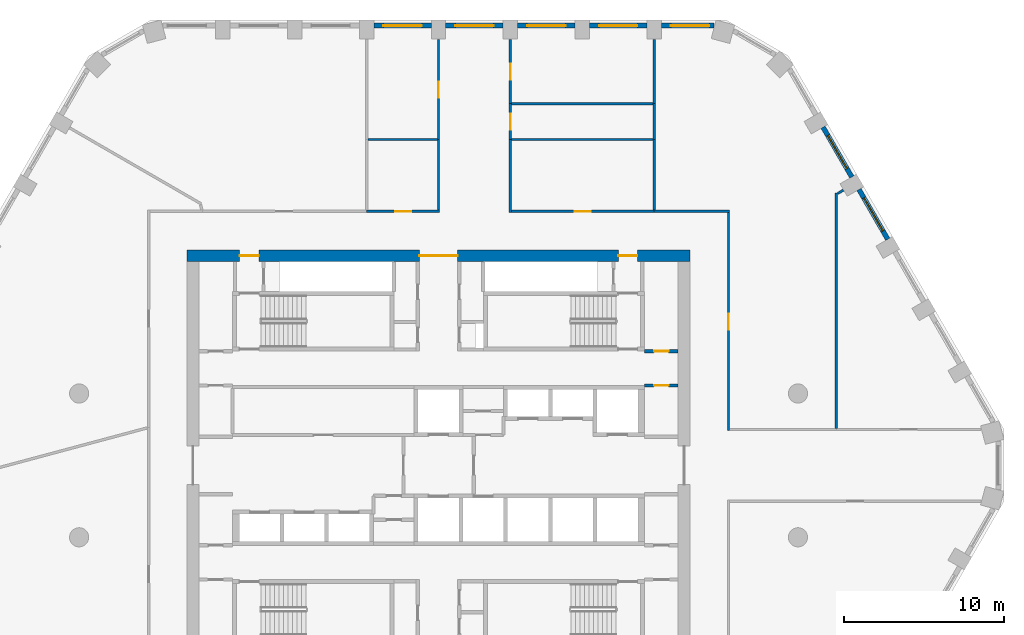
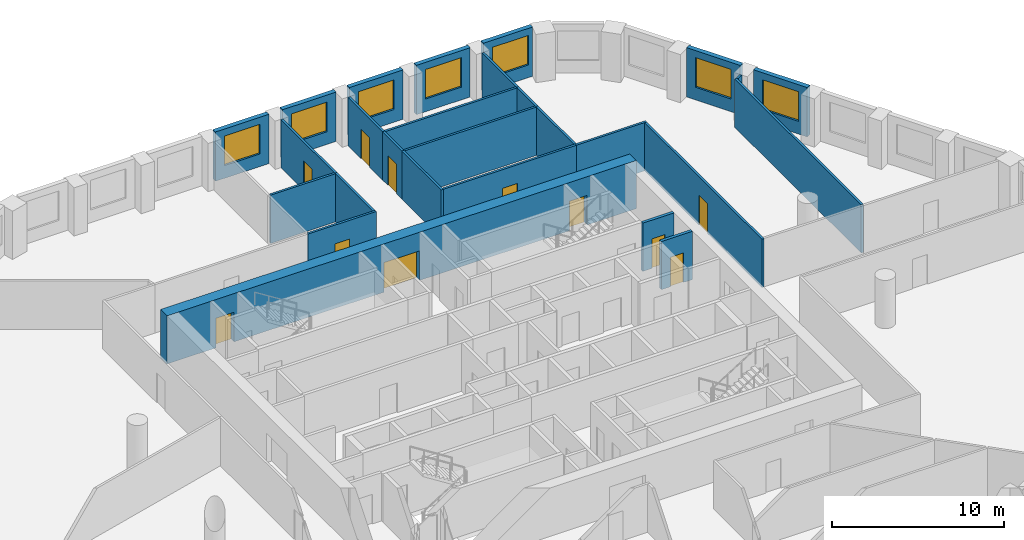
# One storey, part 7 of 9: 27 walls, 11 doors, 7 windows, 18 openings.
"""IFC4 building model written with IfcOpenShell, lengths in metres."""

from ifc_helpers import new_model, si_unit, direction, frame, frame_2d, origin, place, context, subcontext, project, spatial, rectangle, extrude, material, layer, layer_set, type_object, element, fill, save


model = new_model("IFC4")

# Units and contexts
model_context = context("Model", 3, precision=1e-05, world=origin(), true_north=direction((0.0, 1.0)))
body_context = subcontext(model_context, "Body", "Model", "MODEL_VIEW")
ifc_project = project(units=[si_unit("LENGTHUNIT", "METRE"), si_unit("AREAUNIT", "SQUARE_METRE"), si_unit("VOLUMEUNIT", "CUBIC_METRE"), si_unit("PLANEANGLEUNIT", "RADIAN"), si_unit("MASSUNIT", "GRAM", prefix="KILO")], contexts=[model_context])

# Site, building, storey
site_placement = place(None, origin())
site = spatial("IfcSite", under=ifc_project, at=site_placement, CompositionType="ELEMENT")
building_placement = place(site_placement, origin())
building = spatial("IfcBuilding", under=site, at=building_placement, Name="Dhurran Vertical Campus", CompositionType="ELEMENT")
storey_placement = place(building_placement, frame((0.0, 0.0, 175.5)))
storey = spatial("IfcBuildingStorey", under=building, at=storey_placement, Name="L43", CompositionType="ELEMENT", Elevation=175.5)

# Wall, opening, window
ifc_material_1 = material(Name="Precast concrete C50/60", Category="concrete")
ifc_layer_1 = layer(ifc_material_1, 0.300048828125)
ifc_layer_set_1 = layer_set([ifc_layer_1], Name="Precast concrete C50/60")
wall_type_1 = type_object("IfcWallType", Name="Precast spandrel wall 300", PredefinedType="SOLIDWALL", material=ifc_layer_set_1)
wall_1_placement = place(storey_placement, frame((28.118896484375, 14.156494140625, 0.0), z_axis=(0.0, 0.0, 1.0), x_axis=(-0.500027802648, 0.866009351323, 0.0)))
wall_1 = element("IfcWall", 1, at=wall_1_placement, inside=storey, type_object=wall_type_1, Name="EW1 L43.19", PredefinedType="SOLIDWALL", context=body_context, shape_type="SweptSolid", body=[
    extrude(rectangle(XDim=3.598876953125, YDim=0.300048828125, at=frame_2d((1.79931640625, 0.0))), origin(), (0.0, 0.0, 1.0), 3.5),
])
opening_1_placement = place(wall_1_placement, frame((0.599609375, 0.0, 0.89990234375)))
opening_1 = element("IfcOpeningElement", 2, at=opening_1_placement, cuts=wall_1, Name="Opening WT1", PredefinedType="OPENING", context=body_context, shape_type="SweptSolid", body=[
    extrude(rectangle(XDim=2.39990234375, YDim=2.10009765625, at=frame_2d((1.199951171875, 1.050048828125))), frame((0.0, 0.159912109375, 0.0), z_axis=(0.0, -1.0, 0.0), x_axis=(1.0, 0.0, 0.0)), (0.0, 0.0, 1.0), 0.320068359375),
])
ifc_material_2 = material(Name="Aluminium frame with solar-control glass", Category="aluminium")
window_type = type_object("IfcWindowType", Name="Punched window 2400 x 2100", PartitioningType="SINGLE_PANEL", PredefinedType="WINDOW", material=ifc_material_2)
window_1_placement = place(opening_1_placement, origin())
window_1 = element("IfcWindow", 3, at=window_1_placement, inside=storey, type_object=window_type, Name="WT1 L43.19", OverallHeight=2.10009765625, OverallWidth=2.39990234375, PartitioningType="SINGLE_PANEL", PredefinedType="WINDOW", context=body_context, shape_type="SweptSolid", body=[
    extrude(rectangle(XDim=2.39990234375, YDim=2.10009765625, at=frame_2d((1.199951171875, 1.050048828125))), frame((0.0, 0.030029296875, 0.0), z_axis=(0.0, -1.0, 0.0), x_axis=(1.0, 0.0, 0.0)), (0.0, 0.0, 1.0), 0.06005859375),
])
fill(opening_1, window_1)

wall_2_placement = place(storey_placement, frame((25.868896484375, 18.0537109375, 0.0), z_axis=(0.0, 0.0, 1.0), x_axis=(-0.500027802648, 0.866009351323, 0.0)))
wall_2 = element("IfcWall", 4, at=wall_2_placement, inside=storey, type_object=wall_type_1, Name="EW1 L43.20", PredefinedType="SOLIDWALL", context=body_context, shape_type="SweptSolid", body=[
    extrude(rectangle(XDim=3.598876953125, YDim=0.300048828125, at=frame_2d((1.79931640625, 0.0))), origin(), (0.0, 0.0, 1.0), 3.5),
])
opening_2_placement = place(wall_2_placement, frame((0.599609375, 0.0, 0.89990234375)))
opening_2 = element("IfcOpeningElement", 5, at=opening_2_placement, cuts=wall_2, Name="Opening WT1", PredefinedType="OPENING", context=body_context, shape_type="SweptSolid", body=[
    extrude(rectangle(XDim=2.39990234375, YDim=2.10009765625, at=frame_2d((1.199951171875, 1.050048828125))), frame((0.0, 0.159912109375, 0.0), z_axis=(0.0, -1.0, 0.0), x_axis=(1.0, 0.0, 0.0)), (0.0, 0.0, 1.0), 0.320068359375),
])
window_2_placement = place(opening_2_placement, origin())
window_2 = element("IfcWindow", 6, at=window_2_placement, inside=storey, type_object=window_type, Name="WT1 L43.20", OverallHeight=2.10009765625, OverallWidth=2.39990234375, PartitioningType="SINGLE_PANEL", PredefinedType="WINDOW", context=body_context, shape_type="SweptSolid", body=[
    extrude(rectangle(XDim=2.39990234375, YDim=2.10009765625, at=frame_2d((1.199951171875, 1.050048828125))), frame((0.0, 0.030029296875, 0.0), z_axis=(0.0, -1.0, 0.0), x_axis=(1.0, 0.0, 0.0)), (0.0, 0.0, 1.0), 0.06005859375),
])
fill(opening_2, window_2)

wall_3_placement = place(storey_placement, frame((17.24462890625, 27.53271484375, 0.0), z_axis=(0.0, 0.0, 1.0), x_axis=(-1.0, 0.0, 0.0)))
wall_3 = element("IfcWall", 7, at=wall_3_placement, inside=storey, type_object=wall_type_1, Name="EW1 L43.23", PredefinedType="SOLIDWALL", context=body_context, shape_type="SweptSolid", body=[
    extrude(rectangle(XDim=3.294189453125, YDim=0.300048828125, at=frame_2d((1.64697265625, 0.0))), origin(), (0.0, 0.0, 1.0), 3.5),
])
opening_3_placement = place(wall_3_placement, frame((0.294677734375, 0.0, 0.89990234375)))
opening_3 = element("IfcOpeningElement", 8, at=opening_3_placement, cuts=wall_3, Name="Opening WT1", PredefinedType="OPENING", context=body_context, shape_type="SweptSolid", body=[
    extrude(rectangle(XDim=2.39990234375, YDim=2.10009765625, at=frame_2d((1.199951171875, 1.050048828125))), frame((0.0, 0.159912109375, 0.0), z_axis=(0.0, -1.0, 0.0), x_axis=(1.0, 0.0, 0.0)), (0.0, 0.0, 1.0), 0.320068359375),
])
window_3_placement = place(opening_3_placement, origin())
window_3 = element("IfcWindow", 9, at=window_3_placement, inside=storey, type_object=window_type, Name="WT1 L43.23", OverallHeight=2.10009765625, OverallWidth=2.39990234375, PartitioningType="SINGLE_PANEL", PredefinedType="WINDOW", context=body_context, shape_type="SweptSolid", body=[
    extrude(rectangle(XDim=2.39990234375, YDim=2.10009765625, at=frame_2d((1.199951171875, 1.050048828125))), frame((0.0, 0.030029296875, 0.0), z_axis=(0.0, -1.0, 0.0), x_axis=(1.0, 0.0, 0.0)), (0.0, 0.0, 1.0), 0.06005859375),
])
fill(opening_3, window_3)

wall_4_placement = place(storey_placement, frame((13.049560546875, 27.53271484375, 0.0), z_axis=(0.0, 0.0, 1.0), x_axis=(-1.0, 0.0, 0.0)))
wall_4 = element("IfcWall", 10, at=wall_4_placement, inside=storey, type_object=wall_type_1, Name="EW1 L43.24", PredefinedType="SOLIDWALL", context=body_context, shape_type="SweptSolid", body=[
    extrude(rectangle(XDim=3.59912109375, YDim=0.300048828125, at=frame_2d((1.799560546875, 0.0))), origin(), (0.0, 0.0, 1.0), 3.5),
])
opening_4_placement = place(wall_4_placement, frame((0.599609375, 0.0, 0.89990234375)))
opening_4 = element("IfcOpeningElement", 11, at=opening_4_placement, cuts=wall_4, Name="Opening WT1", PredefinedType="OPENING", context=body_context, shape_type="SweptSolid", body=[
    extrude(rectangle(XDim=2.39990234375, YDim=2.10009765625, at=frame_2d((1.199951171875, 1.050048828125))), frame((0.0, 0.159912109375, 0.0), z_axis=(0.0, -1.0, 0.0), x_axis=(1.0, 0.0, 0.0)), (0.0, 0.0, 1.0), 0.320068359375),
])
window_4_placement = place(opening_4_placement, origin())
window_4 = element("IfcWindow", 12, at=window_4_placement, inside=storey, type_object=window_type, Name="WT1 L43.24", OverallHeight=2.10009765625, OverallWidth=2.39990234375, PartitioningType="SINGLE_PANEL", PredefinedType="WINDOW", context=body_context, shape_type="SweptSolid", body=[
    extrude(rectangle(XDim=2.39990234375, YDim=2.10009765625, at=frame_2d((1.199951171875, 1.050048828125))), frame((0.0, 0.030029296875, 0.0), z_axis=(0.0, -1.0, 0.0), x_axis=(1.0, 0.0, 0.0)), (0.0, 0.0, 1.0), 0.06005859375),
])
fill(opening_4, window_4)

wall_5_placement = place(storey_placement, frame((8.549560546875, 27.53271484375, 0.0), z_axis=(0.0, 0.0, 1.0), x_axis=(-1.0, 0.0, 0.0)))
wall_5 = element("IfcWall", 13, at=wall_5_placement, inside=storey, type_object=wall_type_1, Name="EW1 L43.25", PredefinedType="SOLIDWALL", context=body_context, shape_type="SweptSolid", body=[
    extrude(rectangle(XDim=3.59912109375, YDim=0.300048828125, at=frame_2d((1.799560546875, 0.0))), origin(), (0.0, 0.0, 1.0), 3.5),
])
opening_5_placement = place(wall_5_placement, frame((0.599609375, 0.0, 0.89990234375)))
opening_5 = element("IfcOpeningElement", 14, at=opening_5_placement, cuts=wall_5, Name="Opening WT1", PredefinedType="OPENING", context=body_context, shape_type="SweptSolid", body=[
    extrude(rectangle(XDim=2.39990234375, YDim=2.10009765625, at=frame_2d((1.199951171875, 1.050048828125))), frame((0.0, 0.159912109375, 0.0), z_axis=(0.0, -1.0, 0.0), x_axis=(1.0, 0.0, 0.0)), (0.0, 0.0, 1.0), 0.320068359375),
])
window_5_placement = place(opening_5_placement, origin())
window_5 = element("IfcWindow", 15, at=window_5_placement, inside=storey, type_object=window_type, Name="WT1 L43.25", OverallHeight=2.10009765625, OverallWidth=2.39990234375, PartitioningType="SINGLE_PANEL", PredefinedType="WINDOW", context=body_context, shape_type="SweptSolid", body=[
    extrude(rectangle(XDim=2.39990234375, YDim=2.10009765625, at=frame_2d((1.199951171875, 1.050048828125))), frame((0.0, 0.030029296875, 0.0), z_axis=(0.0, -1.0, 0.0), x_axis=(1.0, 0.0, 0.0)), (0.0, 0.0, 1.0), 0.06005859375),
])
fill(opening_5, window_5)

wall_6_placement = place(storey_placement, frame((4.049560546875, 27.53271484375, 0.0), z_axis=(0.0, 0.0, 1.0), x_axis=(-1.0, 0.0, 0.0)))
wall_6 = element("IfcWall", 16, at=wall_6_placement, inside=storey, type_object=wall_type_1, Name="EW1 L43.26", PredefinedType="SOLIDWALL", context=body_context, shape_type="SweptSolid", body=[
    extrude(rectangle(XDim=3.59912109375, YDim=0.300048828125, at=frame_2d((1.799560546875, 0.0))), origin(), (0.0, 0.0, 1.0), 3.5),
])
opening_6_placement = place(wall_6_placement, frame((0.599609375, 0.0, 0.89990234375)))
opening_6 = element("IfcOpeningElement", 17, at=opening_6_placement, cuts=wall_6, Name="Opening WT1", PredefinedType="OPENING", context=body_context, shape_type="SweptSolid", body=[
    extrude(rectangle(XDim=2.39990234375, YDim=2.10009765625, at=frame_2d((1.199951171875, 1.050048828125))), frame((0.0, 0.159912109375, 0.0), z_axis=(0.0, -1.0, 0.0), x_axis=(1.0, 0.0, 0.0)), (0.0, 0.0, 1.0), 0.320068359375),
])
window_6_placement = place(opening_6_placement, origin())
window_6 = element("IfcWindow", 18, at=window_6_placement, inside=storey, type_object=window_type, Name="WT1 L43.26", OverallHeight=2.10009765625, OverallWidth=2.39990234375, PartitioningType="SINGLE_PANEL", PredefinedType="WINDOW", context=body_context, shape_type="SweptSolid", body=[
    extrude(rectangle(XDim=2.39990234375, YDim=2.10009765625, at=frame_2d((1.199951171875, 1.050048828125))), frame((0.0, 0.030029296875, 0.0), z_axis=(0.0, -1.0, 0.0), x_axis=(1.0, 0.0, 0.0)), (0.0, 0.0, 1.0), 0.06005859375),
])
fill(opening_6, window_6)

wall_7_placement = place(storey_placement, frame((-0.450439453125, 27.53271484375, 0.0), z_axis=(0.0, 0.0, 1.0), x_axis=(-1.0, 0.0, 0.0)))
wall_7 = element("IfcWall", 19, at=wall_7_placement, inside=storey, type_object=wall_type_1, Name="EW1 L43.27", PredefinedType="SOLIDWALL", context=body_context, shape_type="SweptSolid", body=[
    extrude(rectangle(XDim=3.59912109375, YDim=0.300048828125, at=frame_2d((1.799560546875, 0.0))), origin(), (0.0, 0.0, 1.0), 3.5),
])
opening_7_placement = place(wall_7_placement, frame((0.599609375, 0.0, 0.89990234375)))
opening_7 = element("IfcOpeningElement", 20, at=opening_7_placement, cuts=wall_7, Name="Opening WT1", PredefinedType="OPENING", context=body_context, shape_type="SweptSolid", body=[
    extrude(rectangle(XDim=2.39990234375, YDim=2.10009765625, at=frame_2d((1.199951171875, 1.050048828125))), frame((0.0, 0.159912109375, 0.0), z_axis=(0.0, -1.0, 0.0), x_axis=(1.0, 0.0, 0.0)), (0.0, 0.0, 1.0), 0.320068359375),
])
window_7_placement = place(opening_7_placement, origin())
window_7 = element("IfcWindow", 21, at=window_7_placement, inside=storey, type_object=window_type, Name="WT1 L43.27", OverallHeight=2.10009765625, OverallWidth=2.39990234375, PartitioningType="SINGLE_PANEL", PredefinedType="WINDOW", context=body_context, shape_type="SweptSolid", body=[
    extrude(rectangle(XDim=2.39990234375, YDim=2.10009765625, at=frame_2d((1.199951171875, 1.050048828125))), frame((0.0, 0.030029296875, 0.0), z_axis=(0.0, -1.0, 0.0), x_axis=(1.0, 0.0, 0.0)), (0.0, 0.0, 1.0), 0.06005859375),
])
fill(opening_7, window_7)

# Wall, openings, doors
ifc_material_3 = material(Name="Concrete C60/75", Category="concrete")
ifc_layer_2 = layer(ifc_material_3, 0.75)
ifc_layer_set_2 = layer_set([ifc_layer_2], Name="Concrete C60/75")
wall_type_2 = type_object("IfcWallType", Name="co-CORE-WALL-C1-750", PredefinedType="SHEAR", material=ifc_layer_set_2)
wall_8_placement = place(storey_placement, frame((-15.75, 13.125, 0.0), z_axis=(0.0, 0.0, 1.0), x_axis=(1.0, 0.0, 0.0)))
wall_8 = element("IfcWall", 22, at=wall_8_placement, inside=storey, type_object=wall_type_2, Name="Core wall N L43", PredefinedType="SHEAR", context=body_context, shape_type="SweptSolid", body=[
    extrude(rectangle(XDim=31.5, YDim=0.75, at=frame_2d((15.75, 0.0))), origin(), (0.0, 0.0, 1.0), 3.425048828125),
])
opening_8_placement = place(wall_8_placement, frame((14.550048828125, 0.0, 0.0)))
opening_8 = element("IfcOpeningElement", 23, at=opening_8_placement, cuts=wall_8, Name="Opening CV1", PredefinedType="OPENING", context=body_context, shape_type="SweptSolid", body=[
    extrude(rectangle(XDim=2.39990234375, YDim=2.10009765625, at=frame_2d((1.199951171875, 1.050048828125))), frame((0.0, 0.385009765625, 0.0), z_axis=(0.0, -1.0, 0.0), x_axis=(1.0, 0.0, 0.0)), (0.0, 0.0, 1.0), 0.77001953125),
])
opening_9_placement = place(wall_8_placement, frame((3.300048828125, 0.0, 0.0)))
opening_9 = element("IfcOpeningElement", 24, at=opening_9_placement, cuts=wall_8, Name="Opening XD1", PredefinedType="OPENING", context=body_context, shape_type="SweptSolid", body=[
    extrude(rectangle(XDim=1.199951171875, YDim=2.10009765625, at=frame_2d((0.60009765625, 1.050048828125))), frame((0.0, 0.385009765625, 0.0), z_axis=(0.0, -1.0, 0.0), x_axis=(1.0, 0.0, 0.0)), (0.0, 0.0, 1.0), 0.77001953125),
])
opening_10_placement = place(wall_8_placement, frame((27.0, 0.0, 0.0)))
opening_10 = element("IfcOpeningElement", 25, at=opening_10_placement, cuts=wall_8, Name="Opening XD2", PredefinedType="OPENING", context=body_context, shape_type="SweptSolid", body=[
    extrude(rectangle(XDim=1.199951171875, YDim=2.10009765625, at=frame_2d((0.60009765625, 1.050048828125))), frame((0.0, 0.385009765625, 0.0), z_axis=(0.0, -1.0, 0.0), x_axis=(1.0, 0.0, 0.0)), (0.0, 0.0, 1.0), 0.77001953125),
])
ifc_material_4 = material(Name="Fire-rated glazed door set")
door_type_1 = type_object("IfcDoorType", Name="co-D-LOBBY 2400x2100", OperationType="DOUBLE_DOOR_DOUBLE_SWING", PredefinedType="DOOR", material=ifc_material_4)
door_1_placement = place(opening_8_placement, origin())
door_1 = element("IfcDoor", 26, at=door_1_placement, inside=storey, type_object=door_type_1, Name="Core vestibule door N L43", OperationType="DOUBLE_DOOR_DOUBLE_SWING", OverallHeight=2.10009765625, OverallWidth=2.39990234375, PredefinedType="DOOR", context=body_context, shape_type="SweptSolid", body=[
    extrude(rectangle(XDim=2.39990234375, YDim=2.10009765625, at=frame_2d((1.199951171875, 1.050048828125))), frame((0.0, 0.02490234375, 0.0), z_axis=(0.0, -1.0, 0.0), x_axis=(1.0, 0.0, 0.0)), (0.0, 0.0, 1.0), 0.050048828125),
])
fill(opening_8, door_1)
ifc_material_5 = material(Name="Fire-rated steel door set", Category="steel")
door_type_2 = type_object("IfcDoorType", Name="co-D-STAIR-EXIT 1200x2100", OperationType="SINGLE_SWING_RIGHT", PredefinedType="DOOR", material=ifc_material_5)
door_2_placement = place(opening_9_placement, origin())
door_2 = element("IfcDoor", 27, at=door_2_placement, inside=storey, type_object=door_type_2, Name="Stair ST1 exit door L43", OperationType="SINGLE_SWING_RIGHT", OverallHeight=2.10009765625, OverallWidth=1.199951171875, PredefinedType="DOOR", context=body_context, shape_type="SweptSolid", body=[
    extrude(rectangle(XDim=1.199951171875, YDim=2.10009765625, at=frame_2d((0.60009765625, 1.050048828125))), frame((0.0, 0.02490234375, 0.0), z_axis=(0.0, -1.0, 0.0), x_axis=(1.0, 0.0, 0.0)), (0.0, 0.0, 1.0), 0.050048828125),
])
fill(opening_9, door_2)
door_3_placement = place(opening_10_placement, origin())
door_3 = element("IfcDoor", 28, at=door_3_placement, inside=storey, type_object=door_type_2, Name="Stair ST2 exit door L43", OperationType="SINGLE_SWING_RIGHT", OverallHeight=2.10009765625, OverallWidth=1.199951171875, PredefinedType="DOOR", context=body_context, shape_type="SweptSolid", body=[
    extrude(rectangle(XDim=1.199951171875, YDim=2.10009765625, at=frame_2d((0.60009765625, 1.050048828125))), frame((0.0, 0.02490234375, 0.0), z_axis=(0.0, -1.0, 0.0), x_axis=(1.0, 0.0, 0.0)), (0.0, 0.0, 1.0), 0.050048828125),
])
fill(opening_10, door_3)

# Wall, opening, door
ifc_material_6 = material(Name="Fire-rated masonry blockwork", Category="masonry")
ifc_layer_3 = layer(ifc_material_6, 0.199951171875)
ifc_layer_set_3 = layer_set([ifc_layer_3], Name="Fire-rated masonry blockwork")
wall_type_3 = type_object("IfcWallType", Name="co-FIRE-PARTITION-200", PredefinedType="PARTITIONING", material=ifc_layer_set_3)
wall_9_placement = place(storey_placement, frame((12.89990234375, 7.14990234375, 0.0), z_axis=(0.0, 0.0, 1.0), x_axis=(1.0, 0.0, 0.0)))
wall_9 = element("IfcWall", 29, at=wall_9_placement, inside=storey, type_object=wall_type_3, Name="Core partition en-NE-w L43", PredefinedType="PARTITIONING", context=body_context, shape_type="SweptSolid", body=[
    extrude(rectangle(XDim=2.10009765625, YDim=0.199951171875, at=frame_2d((1.050048828125, 0.0))), origin(), (0.0, 0.0, 1.0), 3.425048828125),
])
opening_11_placement = place(wall_9_placement, frame((0.60009765625, 0.0, 0.0)))
opening_11 = element("IfcOpeningElement", 30, at=opening_11_placement, cuts=wall_9, Name="Opening T12-C16", PredefinedType="OPENING", context=body_context, shape_type="SweptSolid", body=[
    extrude(rectangle(XDim=0.89990234375, YDim=2.10009765625, at=frame_2d((0.449951171875, 1.050048828125))), frame((0.0, 0.10986328125, 0.0), z_axis=(0.0, -1.0, 0.0), x_axis=(1.0, 0.0, 0.0)), (0.0, 0.0, 1.0), 0.219970703125),
])
ifc_material_7 = material(Name="Fire-rated timber door set", Category="wood")
door_type_3 = type_object("IfcDoorType", Name="co-D-ROOM 900x2100", OperationType="SINGLE_SWING_LEFT", PredefinedType="DOOR", material=ifc_material_7)
door_4_placement = place(opening_11_placement, origin())
door_4 = element("IfcDoor", 31, at=door_4_placement, inside=storey, type_object=door_type_3, Name="Server room door L43", OperationType="SINGLE_SWING_LEFT", OverallHeight=2.10009765625, OverallWidth=0.89990234375, PredefinedType="DOOR", context=body_context, shape_type="SweptSolid", body=[
    extrude(rectangle(XDim=0.89990234375, YDim=2.10009765625, at=frame_2d((0.449951171875, 1.050048828125))), frame((0.0, 0.02490234375, 0.0), z_axis=(0.0, -1.0, 0.0), x_axis=(1.0, 0.0, 0.0)), (0.0, 0.0, 1.0), 0.050048828125),
])
fill(opening_11, door_4)

wall_10_placement = place(storey_placement, frame((12.89990234375, 5.0, 0.0), z_axis=(0.0, 0.0, 1.0), x_axis=(1.0, 0.0, 0.0)))
wall_10 = element("IfcWall", 32, at=wall_10_placement, inside=storey, type_object=wall_type_3, Name="Core partition es-NE-w L43", PredefinedType="PARTITIONING", context=body_context, shape_type="SweptSolid", body=[
    extrude(rectangle(XDim=2.10009765625, YDim=0.199951171875, at=frame_2d((1.050048828125, 0.0))), origin(), (0.0, 0.0, 1.0), 3.425048828125),
])
opening_12_placement = place(wall_10_placement, frame((0.60009765625, 0.0, 0.0)))
opening_12 = element("IfcOpeningElement", 33, at=opening_12_placement, cuts=wall_10, Name="Opening T12-C17", PredefinedType="OPENING", context=body_context, shape_type="SweptSolid", body=[
    extrude(rectangle(XDim=0.89990234375, YDim=2.10009765625, at=frame_2d((0.449951171875, 1.050048828125))), frame((0.0, 0.10986328125, 0.0), z_axis=(0.0, -1.0, 0.0), x_axis=(1.0, 0.0, 0.0)), (0.0, 0.0, 1.0), 0.219970703125),
])
door_5_placement = place(opening_12_placement, origin())
door_5 = element("IfcDoor", 34, at=door_5_placement, inside=storey, type_object=door_type_3, Name="Communications room door L43", OperationType="SINGLE_SWING_LEFT", OverallHeight=2.10009765625, OverallWidth=0.89990234375, PredefinedType="DOOR", context=body_context, shape_type="SweptSolid", body=[
    extrude(rectangle(XDim=0.89990234375, YDim=2.10009765625, at=frame_2d((0.449951171875, 1.050048828125))), frame((0.0, 0.02490234375, 0.0), z_axis=(0.0, -1.0, 0.0), x_axis=(1.0, 0.0, 0.0)), (0.0, 0.0, 1.0), 0.050048828125),
])
fill(opening_12, door_5)

ifc_material_8 = material(Name="Gypsum board corridor wall on steel studs", Category="steel")
ifc_layer_4 = layer(ifc_material_8, 0.14990234375)
ifc_layer_set_4 = layer_set([ifc_layer_4], Name="Gypsum board corridor wall on steel studs")
wall_type_4 = type_object("IfcWallType", Name="fl-CW-150 corridor wall", PredefinedType="PARTITIONING", material=ifc_layer_set_4)
wall_11_placement = place(storey_placement, frame((0.074951171875, 15.89990234375, 0.0), z_axis=(0.0, 0.0, 1.0), x_axis=(-1.0, 0.0, 0.0)))
wall_11 = element("IfcWall", 35, at=wall_11_placement, inside=storey, type_object=wall_type_4, Name="Partition 43-17", PredefinedType="PARTITIONING", context=body_context, shape_type="SweptSolid", body=[
    extrude(rectangle(XDim=4.574951171875, YDim=0.14990234375, at=frame_2d((2.28759765625, 0.0))), origin(), (0.0, 0.0, 1.0), 3.425048828125),
])
opening_13_placement = place(wall_11_placement, frame((1.78759765625, 0.0, 0.0)))
opening_13 = element("IfcOpeningElement", 36, at=opening_13_placement, cuts=wall_11, Name="Opening T12.07", PredefinedType="OPENING", context=body_context, shape_type="SweptSolid", body=[
    extrude(rectangle(XDim=1.0, YDim=2.10009765625, at=frame_2d((0.5, 1.050048828125))), frame((0.0, 0.0849609375, 0.0), z_axis=(0.0, -1.0, 0.0), x_axis=(1.0, 0.0, 0.0)), (0.0, 0.0, 1.0), 0.169921875),
])
ifc_material_9 = material(Name="Solid-core timber door set, fire-rated", Category="wood")
door_type_4 = type_object("IfcDoorType", Name="fl-D-1000x2100", OperationType="SINGLE_SWING_LEFT", PredefinedType="DOOR", material=ifc_material_9)
door_6_placement = place(opening_13_placement, origin())
door_6 = element("IfcDoor", 37, at=door_6_placement, inside=storey, type_object=door_type_4, Name="Door 43.07", OperationType="SINGLE_SWING_RIGHT", OverallHeight=2.10009765625, OverallWidth=1.0, PredefinedType="DOOR", context=body_context, shape_type="SweptSolid", body=[
    extrude(rectangle(XDim=1.0, YDim=2.10009765625, at=frame_2d((0.5, 1.050048828125))), frame((0.0, 0.02490234375, 0.0), z_axis=(0.0, -1.0, 0.0), x_axis=(1.0, 0.0, 0.0)), (0.0, 0.0, 1.0), 0.050048828125),
])
fill(opening_13, door_6)

# Wall
wall_12_placement = place(storey_placement, frame((0.0, 15.97509765625, 0.0), z_axis=(0.0, 0.0, 1.0), x_axis=(0.0, 1.0, 0.0)))
element("IfcWall", 38, at=wall_12_placement, inside=storey, type_object=wall_type_4, Name="Partition 43-22", PredefinedType="PARTITIONING", context=body_context, shape_type="SweptSolid", body=[
    extrude(rectangle(XDim=4.4248046875, YDim=0.14990234375, at=frame_2d((2.21240234375, 0.0))), origin(), (0.0, 0.0, 1.0), 3.425048828125),
])

# Wall, opening, door
wall_13_placement = place(storey_placement, frame((0.0, 20.39990234375, 0.0), z_axis=(0.0, 0.0, 1.0), x_axis=(0.0, 1.0, 0.0)))
wall_13 = element("IfcWall", 39, at=wall_13_placement, inside=storey, type_object=wall_type_4, Name="Partition 43-23", PredefinedType="PARTITIONING", context=body_context, shape_type="SweptSolid", body=[
    extrude(rectangle(XDim=6.2626953125, YDim=0.14990234375, at=frame_2d((3.13134765625, 0.0))), origin(), (0.0, 0.0, 1.0), 3.425048828125),
])
opening_14_placement = place(wall_13_placement, frame((2.63134765625, 0.0, 0.0)))
opening_14 = element("IfcOpeningElement", 40, at=opening_14_placement, cuts=wall_13, Name="Opening T12.08", PredefinedType="OPENING", context=body_context, shape_type="SweptSolid", body=[
    extrude(rectangle(XDim=1.0, YDim=2.10009765625, at=frame_2d((0.5, 1.050048828125))), frame((0.0, 0.0849609375, 0.0), z_axis=(0.0, -1.0, 0.0), x_axis=(1.0, 0.0, 0.0)), (0.0, 0.0, 1.0), 0.169921875),
])
door_7_placement = place(opening_14_placement, origin())
door_7 = element("IfcDoor", 41, at=door_7_placement, inside=storey, type_object=door_type_4, Name="Door 43.08", OperationType="SINGLE_SWING_RIGHT", OverallHeight=2.10009765625, OverallWidth=1.0, PredefinedType="DOOR", context=body_context, shape_type="SweptSolid", body=[
    extrude(rectangle(XDim=1.0, YDim=2.10009765625, at=frame_2d((0.5, 1.050048828125))), frame((0.0, 0.02490234375, 0.0), z_axis=(0.0, -1.0, 0.0), x_axis=(1.0, 0.0, 0.0)), (0.0, 0.0, 1.0), 0.050048828125),
])
fill(opening_14, door_7)

# Wall
wall_14_placement = place(storey_placement, frame((4.5, 20.39990234375, 0.0), z_axis=(0.0, 0.0, 1.0), x_axis=(0.0, -1.0, 0.0)))
element("IfcWall", 42, at=wall_14_placement, inside=storey, type_object=wall_type_4, Name="Partition 43-30", PredefinedType="PARTITIONING", context=body_context, shape_type="SweptSolid", body=[
    extrude(rectangle(XDim=4.574951171875, YDim=0.14990234375, at=frame_2d((2.28759765625, 0.0))), origin(), (0.0, 0.0, 1.0), 3.425048828125),
])

# Wall, opening, door
wall_15_placement = place(storey_placement, frame((13.5, 15.89990234375, 0.0), z_axis=(0.0, 0.0, 1.0), x_axis=(-1.0, 0.0, 0.0)))
wall_15 = element("IfcWall", 43, at=wall_15_placement, inside=storey, type_object=wall_type_4, Name="Partition 43-31", PredefinedType="PARTITIONING", context=body_context, shape_type="SweptSolid", body=[
    extrude(rectangle(XDim=8.925048828125, YDim=0.14990234375, at=frame_2d((4.46240234375, 0.0))), origin(), (0.0, 0.0, 1.0), 3.425048828125),
])
opening_15_placement = place(wall_15_placement, frame((3.96240234375, 0.0, 0.0)))
opening_15 = element("IfcOpeningElement", 44, at=opening_15_placement, cuts=wall_15, Name="Opening T12.09", PredefinedType="OPENING", context=body_context, shape_type="SweptSolid", body=[
    extrude(rectangle(XDim=1.0, YDim=2.10009765625, at=frame_2d((0.5, 1.050048828125))), frame((0.0, 0.0849609375, 0.0), z_axis=(0.0, -1.0, 0.0), x_axis=(1.0, 0.0, 0.0)), (0.0, 0.0, 1.0), 0.169921875),
])
door_8_placement = place(opening_15_placement, origin())
door_8 = element("IfcDoor", 45, at=door_8_placement, inside=storey, type_object=door_type_4, Name="Door 43.09", OperationType="SINGLE_SWING_LEFT", OverallHeight=2.10009765625, OverallWidth=1.0, PredefinedType="DOOR", context=body_context, shape_type="SweptSolid", body=[
    extrude(rectangle(XDim=1.0, YDim=2.10009765625, at=frame_2d((0.5, 1.050048828125))), frame((0.0, 0.02490234375, 0.0), z_axis=(0.0, -1.0, 0.0), x_axis=(1.0, 0.0, 0.0)), (0.0, 0.0, 1.0), 0.050048828125),
])
fill(opening_15, door_8)

wall_16_placement = place(storey_placement, frame((4.5, 22.64990234375, 0.0), z_axis=(0.0, 0.0, 1.0), x_axis=(0.0, -1.0, 0.0)))
wall_16 = element("IfcWall", 46, at=wall_16_placement, inside=storey, type_object=wall_type_4, Name="Partition 43-32", PredefinedType="PARTITIONING", context=body_context, shape_type="SweptSolid", body=[
    extrude(rectangle(XDim=2.25, YDim=0.14990234375, at=frame_2d((1.125, 0.0))), origin(), (0.0, 0.0, 1.0), 3.425048828125),
])
opening_16_placement = place(wall_16_placement, frame((0.625, 0.0, 0.0)))
opening_16 = element("IfcOpeningElement", 47, at=opening_16_placement, cuts=wall_16, Name="Opening T12.10", PredefinedType="OPENING", context=body_context, shape_type="SweptSolid", body=[
    extrude(rectangle(XDim=1.0, YDim=2.10009765625, at=frame_2d((0.5, 1.050048828125))), frame((0.0, 0.0849609375, 0.0), z_axis=(0.0, -1.0, 0.0), x_axis=(1.0, 0.0, 0.0)), (0.0, 0.0, 1.0), 0.169921875),
])
door_9_placement = place(opening_16_placement, origin())
door_9 = element("IfcDoor", 48, at=door_9_placement, inside=storey, type_object=door_type_4, Name="Door 43.10", OperationType="SINGLE_SWING_RIGHT", OverallHeight=2.10009765625, OverallWidth=1.0, PredefinedType="DOOR", context=body_context, shape_type="SweptSolid", body=[
    extrude(rectangle(XDim=1.0, YDim=2.10009765625, at=frame_2d((0.5, 1.050048828125))), frame((0.0, 0.02490234375, 0.0), z_axis=(0.0, -1.0, 0.0), x_axis=(1.0, 0.0, 0.0)), (0.0, 0.0, 1.0), 0.050048828125),
])
fill(opening_16, door_9)

wall_17_placement = place(storey_placement, frame((4.5, 26.66259765625, 0.0), z_axis=(0.0, 0.0, 1.0), x_axis=(0.0, -1.0, 0.0)))
wall_17 = element("IfcWall", 49, at=wall_17_placement, inside=storey, type_object=wall_type_4, Name="Partition 43-34", PredefinedType="PARTITIONING", context=body_context, shape_type="SweptSolid", body=[
    extrude(rectangle(XDim=4.0126953125, YDim=0.14990234375, at=frame_2d((2.00634765625, 0.0))), origin(), (0.0, 0.0, 1.0), 3.425048828125),
])
opening_17_placement = place(wall_17_placement, frame((1.50634765625, 0.0, 0.0)))
opening_17 = element("IfcOpeningElement", 50, at=opening_17_placement, cuts=wall_17, Name="Opening T12.11", PredefinedType="OPENING", context=body_context, shape_type="SweptSolid", body=[
    extrude(rectangle(XDim=1.0, YDim=2.10009765625, at=frame_2d((0.5, 1.050048828125))), frame((0.0, 0.0849609375, 0.0), z_axis=(0.0, -1.0, 0.0), x_axis=(1.0, 0.0, 0.0)), (0.0, 0.0, 1.0), 0.169921875),
])
door_10_placement = place(opening_17_placement, origin())
door_10 = element("IfcDoor", 51, at=door_10_placement, inside=storey, type_object=door_type_4, Name="Door 43.11", OperationType="SINGLE_SWING_LEFT", OverallHeight=2.10009765625, OverallWidth=1.0, PredefinedType="DOOR", context=body_context, shape_type="SweptSolid", body=[
    extrude(rectangle(XDim=1.0, YDim=2.10009765625, at=frame_2d((0.5, 1.050048828125))), frame((0.0, 0.02490234375, 0.0), z_axis=(0.0, -1.0, 0.0), x_axis=(1.0, 0.0, 0.0)), (0.0, 0.0, 1.0), 0.050048828125),
])
fill(opening_17, door_10)

# Wall
wall_18_placement = place(storey_placement, frame((18.22509765625, 15.89990234375, 0.0), z_axis=(0.0, 0.0, 1.0), x_axis=(-1.0, 0.0, 0.0)))
element("IfcWall", 52, at=wall_18_placement, inside=storey, type_object=wall_type_4, Name="Partition 43-39", PredefinedType="PARTITIONING", context=body_context, shape_type="SweptSolid", body=[
    extrude(rectangle(XDim=4.72509765625, YDim=0.14990234375, at=frame_2d((2.362548828125, 0.0))), origin(), (0.0, 0.0, 1.0), 3.425048828125),
])

# Wall, opening, door
wall_19_placement = place(storey_placement, frame((18.14990234375, 2.175048828125, 0.0), z_axis=(0.0, 0.0, 1.0), x_axis=(0.0, 1.0, 0.0)))
wall_19 = element("IfcWall", 53, at=wall_19_placement, inside=storey, type_object=wall_type_4, Name="Partition 43-45", PredefinedType="PARTITIONING", context=body_context, shape_type="SweptSolid", body=[
    extrude(rectangle(XDim=13.64990234375, YDim=0.14990234375, at=frame_2d((6.824951171875, 0.0))), origin(), (0.0, 0.0, 1.0), 3.425048828125),
])
opening_18_placement = place(wall_19_placement, frame((6.324951171875, 0.0, 0.0)))
opening_18 = element("IfcOpeningElement", 54, at=opening_18_placement, cuts=wall_19, Name="Opening T12.15", PredefinedType="OPENING", context=body_context, shape_type="SweptSolid", body=[
    extrude(rectangle(XDim=1.0, YDim=2.10009765625, at=frame_2d((0.5, 1.050048828125))), frame((0.0, 0.0849609375, 0.0), z_axis=(0.0, -1.0, 0.0), x_axis=(1.0, 0.0, 0.0)), (0.0, 0.0, 1.0), 0.169921875),
])
door_11_placement = place(opening_18_placement, origin())
door_11 = element("IfcDoor", 55, at=door_11_placement, inside=storey, type_object=door_type_4, Name="Door 43.15", OperationType="SINGLE_SWING_RIGHT", OverallHeight=2.10009765625, OverallWidth=1.0, PredefinedType="DOOR", context=body_context, shape_type="SweptSolid", body=[
    extrude(rectangle(XDim=1.0, YDim=2.10009765625, at=frame_2d((0.5, 1.050048828125))), frame((0.0, 0.02490234375, 0.0), z_axis=(0.0, -1.0, 0.0), x_axis=(1.0, 0.0, 0.0)), (0.0, 0.0, 1.0), 0.050048828125),
])
fill(opening_18, door_11)

# Walls
ifc_material_10 = material(Name="Gypsum board partition on steel studs", Category="steel")
ifc_layer_5 = layer(ifc_material_10, 0.14990234375)
ifc_layer_set_5 = layer_set([ifc_layer_5], Name="Gypsum board partition on steel studs")
wall_type_5 = type_object("IfcWallType", Name="fl-PW-150 fixed partition", PredefinedType="PARTITIONING", material=ifc_layer_set_5)
wall_20_placement = place(storey_placement, frame((-4.425048828125, 20.39990234375, 0.0), z_axis=(0.0, 0.0, 1.0), x_axis=(1.0, 0.0, 0.0)))
element("IfcWall", 56, at=wall_20_placement, inside=storey, type_object=wall_type_5, Name="Partition 43-19", PredefinedType="PARTITIONING", context=body_context, shape_type="SweptSolid", body=[
    extrude(rectangle(XDim=4.35009765625, YDim=0.14990234375, at=frame_2d((2.175048828125, 0.0))), origin(), (0.0, 0.0, 1.0), 3.425048828125),
])
for number, where, z_axis, x_axis, name in (
    (57, (4.574951171875, 20.39990234375, 0.0), (0.0, 0.0, 1.0), (1.0, 0.0, 0.0), "Partition 43-33"),
    (58, (4.574951171875, 22.64990234375, 0.0), (0.0, 0.0, 1.0), (1.0, 0.0, 0.0), "Partition 43-35"),
):
    element("IfcWall", number, at=place(storey_placement, frame(where, z_axis=z_axis, x_axis=x_axis)), inside=storey, type_object=wall_type_5, Name=name, PredefinedType="PARTITIONING", context=body_context, shape_type="SweptSolid", body=[
        extrude(rectangle(XDim=8.85009765625, YDim=0.14990234375, at=frame_2d((4.425048828125, 0.0))), origin(), (0.0, 0.0, 1.0), 3.425048828125),
    ])
wall_21_placement = place(storey_placement, frame((13.5, 20.39990234375, 0.0), z_axis=(0.0, 0.0, 1.0), x_axis=(0.0, -1.0, 0.0)))
element("IfcWall", 59, at=wall_21_placement, inside=storey, type_object=wall_type_5, Name="Partition 43-38", PredefinedType="PARTITIONING", context=body_context, shape_type="SweptSolid", body=[
    extrude(rectangle(XDim=4.4248046875, YDim=0.14990234375, at=frame_2d((2.21240234375, 0.0))), origin(), (0.0, 0.0, 1.0), 3.425048828125),
])
wall_22_placement = place(storey_placement, frame((13.5, 22.64990234375, 0.0), z_axis=(0.0, 0.0, 1.0), x_axis=(0.0, -1.0, 0.0)))
element("IfcWall", 60, at=wall_22_placement, inside=storey, type_object=wall_type_5, Name="Partition 43-40", PredefinedType="PARTITIONING", context=body_context, shape_type="SweptSolid", body=[
    extrude(rectangle(XDim=2.25, YDim=0.14990234375, at=frame_2d((1.125, 0.0))), origin(), (0.0, 0.0, 1.0), 3.425048828125),
])
wall_23_placement = place(storey_placement, frame((13.5, 26.66259765625, 0.0), z_axis=(0.0, 0.0, 1.0), x_axis=(0.0, -1.0, 0.0)))
element("IfcWall", 61, at=wall_23_placement, inside=storey, type_object=wall_type_5, Name="Partition 43-41", PredefinedType="PARTITIONING", context=body_context, shape_type="SweptSolid", body=[
    extrude(rectangle(XDim=4.0126953125, YDim=0.14990234375, at=frame_2d((2.00634765625, 0.0))), origin(), (0.0, 0.0, 1.0), 3.425048828125),
])
wall_24_placement = place(storey_placement, frame((24.89990234375, 17.049072265625, 0.0), z_axis=(0.0, 0.0, 1.0), x_axis=(0.0, -1.0, 0.0)))
element("IfcWall", 62, at=wall_24_placement, inside=storey, type_object=wall_type_5, Name="Partition 43-48", PredefinedType="PARTITIONING", context=body_context, shape_type="SweptSolid", body=[
    extrude(rectangle(XDim=14.72412109375, YDim=0.14990234375, at=frame_2d((7.362060546875, 0.0))), origin(), (0.0, 0.0, 1.0), 3.425048828125),
])
wall_25_placement = place(storey_placement, frame((25.3408203125, 17.228271484375, 0.0), z_axis=(0.0, 0.0, 1.0), x_axis=(-0.866066236526, -0.499929268946, 0.0)))
element("IfcWall", 63, at=wall_25_placement, inside=storey, type_object=wall_type_5, Name="Partition 43-50", PredefinedType="PARTITIONING", context=body_context, shape_type="SweptSolid", body=[
    extrude(rectangle(XDim=0.40869140625, YDim=0.14990234375, at=frame_2d((0.204345703125, 0.0))), origin(), (0.0, 0.0, 1.0), 3.425048828125),
])

save(model, "model.ifc")
